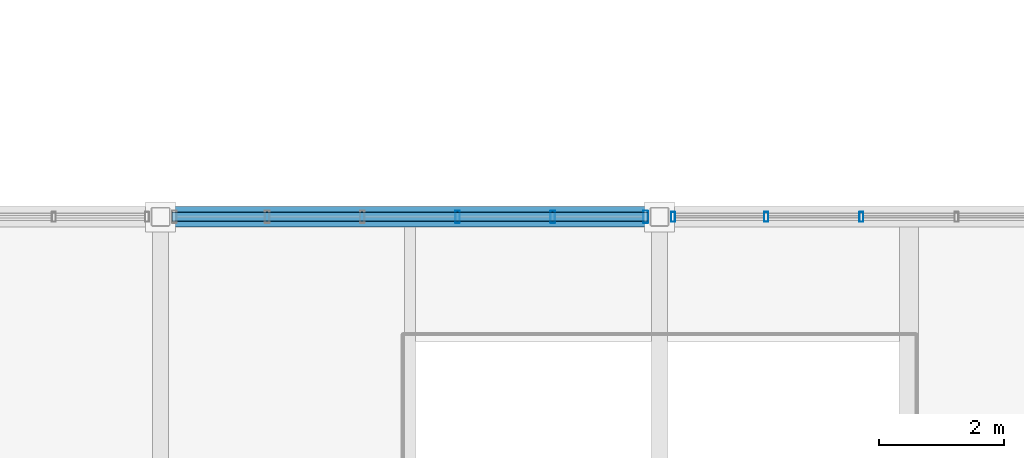
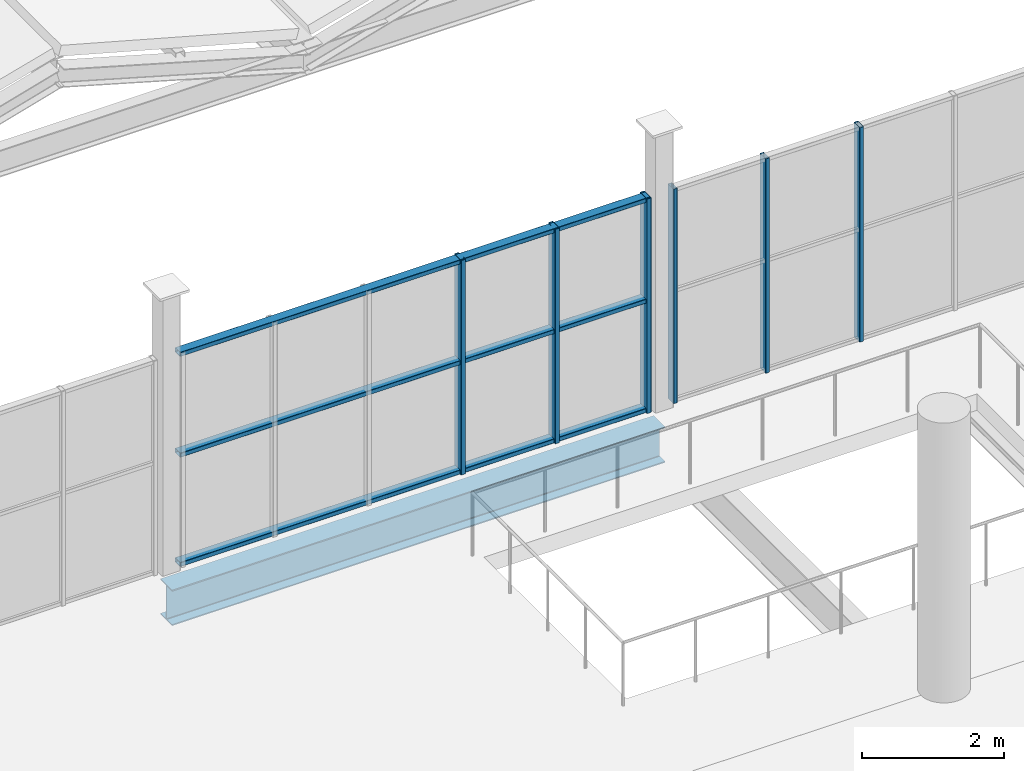
# One storey, part 48 of 114: 9 members, 1 beam, 2 elements without a shape of their own.
"""IFC4 building model written with IfcOpenShell, lengths in metres."""

from ifc_helpers import new_model, si_unit, direction, frame, origin, origin_2d, place, context, subcontext, project, spatial, hollow_rectangle, i_section, extrude, material, material_profile, profile_set, type_object, element, aggregate, save


model = new_model("IFC4")

# Units and contexts
model_context = context("Model", 3, precision=1e-05, world=origin(), true_north=direction((0.0, 1.0)))
body_context = subcontext(model_context, "Body", "Model", "MODEL_VIEW")
ifc_project = project(units=[si_unit("LENGTHUNIT", "METRE"), si_unit("AREAUNIT", "SQUARE_METRE"), si_unit("VOLUMEUNIT", "CUBIC_METRE"), si_unit("PLANEANGLEUNIT", "RADIAN"), si_unit("MASSUNIT", "GRAM", prefix="KILO")], contexts=[model_context])

# Site, building, storey
site_placement = place(None, origin())
site = spatial("IfcSite", under=ifc_project, at=site_placement, CompositionType="ELEMENT")
building_placement = place(site_placement, origin())
building = spatial("IfcBuilding", under=site, at=building_placement, Name="Verrall Gate Interchange", CompositionType="ELEMENT")
storey_placement = place(building_placement, frame((0.0, 0.0, 6.60009765625)))
storey = spatial("IfcBuildingStorey", under=building, at=storey_placement, Name="L02", CompositionType="ELEMENT", Elevation=6.60009765625)

# Beam
ifc_material_1 = material(Name="Structural Steel CSA G40.21 350WT Cat 4", Category="steel")
ifc_material_profile_1 = material_profile(ifc_material_1, i_section(OverallWidth=0.323974609375, OverallDepth=0.611083984375, WebThickness=0.0126953125, FlangeThickness=0.01904296875, FilletRadius=0.014892578125, at=origin_2d()), Name="W610x155")
ifc_profile_set_1 = profile_set([ifc_material_profile_1], Name="Structural Steel CSA G40.21 350WT Cat 4")
beam_type = type_object("IfcBeamType", Name="B-08 Structural Beam W610x155", PredefinedType="BEAM", material=ifc_profile_set_1)
beam_placement = place(storey_placement, frame((92.0, 56.0, -0.585693359375), z_axis=(1.0, 0.0, 0.0), x_axis=(0.0, 1.0, 0.0)))
element("IfcBeam", 1, at=beam_placement, inside=storey, type_object=beam_type, Name="L02 Girder BM-L02-1599 (B-08)", PredefinedType="BEAM", context=body_context, shape_type="SweptSolid", body=[
    extrude(i_section(OverallWidth=0.323974609375, OverallDepth=0.611083984375, WebThickness=0.0126953125, FlangeThickness=0.01904296875, FilletRadius=0.014892578125, at=origin_2d()), origin(), (0.0, 0.0, 1.0), 8.0),
])

# Curtain wall, members
ifc_material_2 = material(Name="Thermally Broken Anodized Aluminium Curtain Wall Framing", Category="aluminium")
curtain_wall_type = type_object("IfcCurtainWallType", Name="CW-21 Unitized Curtain Wall 7631x3680", PredefinedType="NOTDEFINED", material=ifc_material_2)
curtain_wall_1_placement = place(storey_placement, origin())
curtain_wall_1 = element("IfcCurtainWall", 2, at=curtain_wall_1_placement, inside=storey, type_object=curtain_wall_type, Name="L02 Unitized Curtain Wall CW-L02-076", PredefinedType="NOTDEFINED")
ifc_material_3 = material(Name="Thermally Broken Anodized Aluminium Curtain Wall Framing", Category="aluminium")
ifc_material_profile_2 = material_profile(ifc_material_3, hollow_rectangle(XDim=0.06494140625, YDim=0.159912109375, WallThickness=0.00390625, InnerFilletRadius=0.00390625, OuterFilletRadius=0.008056640625, at=origin_2d()), Name="CWM160x65x4")
ifc_profile_set_2 = profile_set([ifc_material_profile_2], Name="Thermally Broken Anodized Aluminium Curtain Wall Framing")
member_type_1 = type_object("IfcMemberType", Name="CM-01 Curtain Mullion CWM160x65x4", PredefinedType="MULLION", material=ifc_profile_set_2)
member_1_placement = place(storey_placement, frame((103.23681640625, 56.0, 0.0), z_axis=(0.0, 0.0, 1.0), x_axis=(-1.0, 0.0, 0.0)))
member_1 = element("IfcMember", 3, at=member_1_placement, type_object=member_type_1, Name="CW-L02-076 Mullion 4", PredefinedType="MULLION", context=body_context, shape_type="SweptSolid", body=[
    extrude(hollow_rectangle(XDim=0.06494140625, YDim=0.159912109375, WallThickness=0.00390625, InnerFilletRadius=0.00390625, OuterFilletRadius=0.008056640625, at=origin_2d()), origin(), (0.0, 0.0, 1.0), 3.679931640625),
])
member_2_placement = place(storey_placement, frame((101.710693359375, 56.0, 0.0), z_axis=(0.0, 0.0, 1.0), x_axis=(-1.0, 0.0, 0.0)))
member_2 = element("IfcMember", 4, at=member_2_placement, type_object=member_type_1, Name="CW-L02-076 Mullion 5", PredefinedType="MULLION", context=body_context, shape_type="SweptSolid", body=[
    extrude(hollow_rectangle(XDim=0.06494140625, YDim=0.159912109375, WallThickness=0.00390625, InnerFilletRadius=0.00390625, OuterFilletRadius=0.008056640625, at=origin_2d()), origin(), (0.0, 0.0, 1.0), 3.679931640625),
])
member_3_placement = place(storey_placement, frame((100.217041015625, 56.0, 0.0), z_axis=(0.0, 0.0, 1.0), x_axis=(-1.0, 0.0, 0.0)))
member_3 = element("IfcMember", 5, at=member_3_placement, type_object=member_type_1, Name="CW-L02-076 Mullion 6", PredefinedType="MULLION", context=body_context, shape_type="SweptSolid", body=[
    extrude(hollow_rectangle(XDim=0.06494140625, YDim=0.159912109375, WallThickness=0.00390625, InnerFilletRadius=0.00390625, OuterFilletRadius=0.008056640625, at=origin_2d()), origin(), (0.0, 0.0, 1.0), 3.679931640625),
])
aggregate(curtain_wall_1, [member_1, member_2, member_3])

curtain_wall_2_placement = place(storey_placement, origin())
curtain_wall_2 = element("IfcCurtainWall", 6, at=curtain_wall_2_placement, inside=storey, type_object=curtain_wall_type, Name="L02 Unitized Curtain Wall CW-L02-077", PredefinedType="NOTDEFINED")
ifc_material_4 = material(Name="Thermally Broken Anodized Aluminium Curtain Wall Framing", Category="aluminium")
ifc_material_profile_3 = material_profile(ifc_material_4, hollow_rectangle(XDim=0.074951171875, YDim=0.199951171875, WallThickness=0.0048828125, InnerFilletRadius=0.0048828125, OuterFilletRadius=0.010009765625, at=origin_2d()), Name="CWM200x75x5")
ifc_profile_set_3 = profile_set([ifc_material_profile_3], Name="Thermally Broken Anodized Aluminium Curtain Wall Framing")
member_type_2 = type_object("IfcMemberType", Name="CM-02 Curtain Mullion CWM200x75x5", PredefinedType="MULLION", material=ifc_profile_set_3)
member_4_placement = place(storey_placement, frame((99.778076171875, 56.0, 0.0), z_axis=(0.0, 0.0, 1.0), x_axis=(-1.0, 0.0, 0.0)))
member_4 = element("IfcMember", 7, at=member_4_placement, type_object=member_type_2, Name="CW-L02-077 Mullion 1", PredefinedType="MULLION", context=body_context, shape_type="SweptSolid", body=[
    extrude(hollow_rectangle(XDim=0.074951171875, YDim=0.199951171875, WallThickness=0.0048828125, InnerFilletRadius=0.0048828125, OuterFilletRadius=0.010009765625, at=origin_2d()), origin(), (0.0, 0.0, 1.0), 3.679931640625),
])
member_5_placement = place(storey_placement, frame((98.289306640625, 56.0, 0.0), z_axis=(0.0, 0.0, 1.0), x_axis=(-1.0, 0.0, 0.0)))
member_5 = element("IfcMember", 8, at=member_5_placement, type_object=member_type_2, Name="CW-L02-077 Mullion 2", PredefinedType="MULLION", context=body_context, shape_type="SweptSolid", body=[
    extrude(hollow_rectangle(XDim=0.074951171875, YDim=0.199951171875, WallThickness=0.0048828125, InnerFilletRadius=0.0048828125, OuterFilletRadius=0.010009765625, at=origin_2d()), origin(), (0.0, 0.0, 1.0), 3.679931640625),
])
member_6_placement = place(storey_placement, frame((96.76318359375, 56.0, 0.0), z_axis=(0.0, 0.0, 1.0), x_axis=(-1.0, 0.0, 0.0)))
member_6 = element("IfcMember", 9, at=member_6_placement, type_object=member_type_2, Name="CW-L02-077 Mullion 3", PredefinedType="MULLION", context=body_context, shape_type="SweptSolid", body=[
    extrude(hollow_rectangle(XDim=0.074951171875, YDim=0.199951171875, WallThickness=0.0048828125, InnerFilletRadius=0.0048828125, OuterFilletRadius=0.010009765625, at=origin_2d()), origin(), (0.0, 0.0, 1.0), 3.679931640625),
])
ifc_material_5 = material(Name="Thermally Broken Anodized Aluminium Curtain Wall Framing", Category="aluminium")
ifc_material_profile_4 = material_profile(ifc_material_5, hollow_rectangle(XDim=0.14990234375, YDim=0.074951171875, WallThickness=0.00439453125, InnerFilletRadius=0.00439453125, OuterFilletRadius=0.009033203125, at=origin_2d()), Name="CWT150x75x4.5")
ifc_profile_set_4 = profile_set([ifc_material_profile_4], Name="Thermally Broken Anodized Aluminium Curtain Wall Framing")
member_type_3 = type_object("IfcMemberType", Name="CT-02 Curtain Transom CWT150x75x4.5", PredefinedType="USERDEFINED", material=ifc_profile_set_4)
member_7_placement = place(storey_placement, frame((99.8154296875, 56.0, 0.037353515625), z_axis=(-1.0, 0.0, 0.0), x_axis=(0.0, -1.0, 0.0)))
member_7 = element("IfcMember", 10, at=member_7_placement, type_object=member_type_3, Name="CW-L02-077 Transom 1", ObjectType="TRANSOM", PredefinedType="USERDEFINED", context=body_context, shape_type="SweptSolid", body=[
    extrude(hollow_rectangle(XDim=0.14990234375, YDim=0.074951171875, WallThickness=0.00439453125, InnerFilletRadius=0.00439453125, OuterFilletRadius=0.009033203125, at=origin_2d()), origin(), (0.0, 0.0, 1.0), 7.630859375),
])
member_8_placement = place(storey_placement, frame((99.8154296875, 56.0, 1.91357421875), z_axis=(-1.0, 0.0, 0.0), x_axis=(0.0, -1.0, 0.0)))
member_8 = element("IfcMember", 11, at=member_8_placement, type_object=member_type_3, Name="CW-L02-077 Transom 2", ObjectType="TRANSOM", PredefinedType="USERDEFINED", context=body_context, shape_type="SweptSolid", body=[
    extrude(hollow_rectangle(XDim=0.14990234375, YDim=0.074951171875, WallThickness=0.00439453125, InnerFilletRadius=0.00439453125, OuterFilletRadius=0.009033203125, at=origin_2d()), origin(), (0.0, 0.0, 1.0), 7.630859375),
])
member_9_placement = place(storey_placement, frame((99.8154296875, 56.0, 3.642333984375), z_axis=(-1.0, 0.0, 0.0), x_axis=(0.0, -1.0, 0.0)))
member_9 = element("IfcMember", 12, at=member_9_placement, type_object=member_type_3, Name="CW-L02-077 Transom 3", ObjectType="TRANSOM", PredefinedType="USERDEFINED", context=body_context, shape_type="SweptSolid", body=[
    extrude(hollow_rectangle(XDim=0.14990234375, YDim=0.074951171875, WallThickness=0.00439453125, InnerFilletRadius=0.00439453125, OuterFilletRadius=0.009033203125, at=origin_2d()), origin(), (0.0, 0.0, 1.0), 7.630859375),
])
aggregate(curtain_wall_2, [member_4, member_5, member_6, member_7, member_8, member_9])

save(model, "model.ifc")
